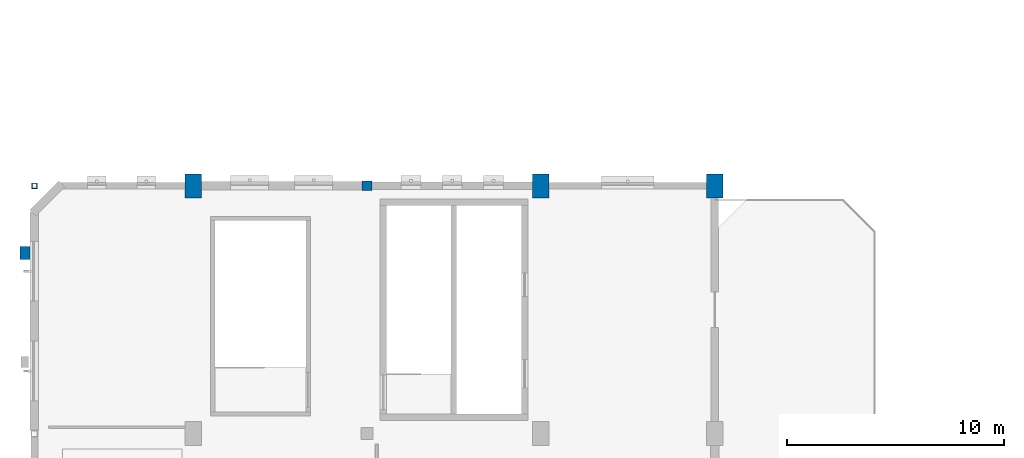
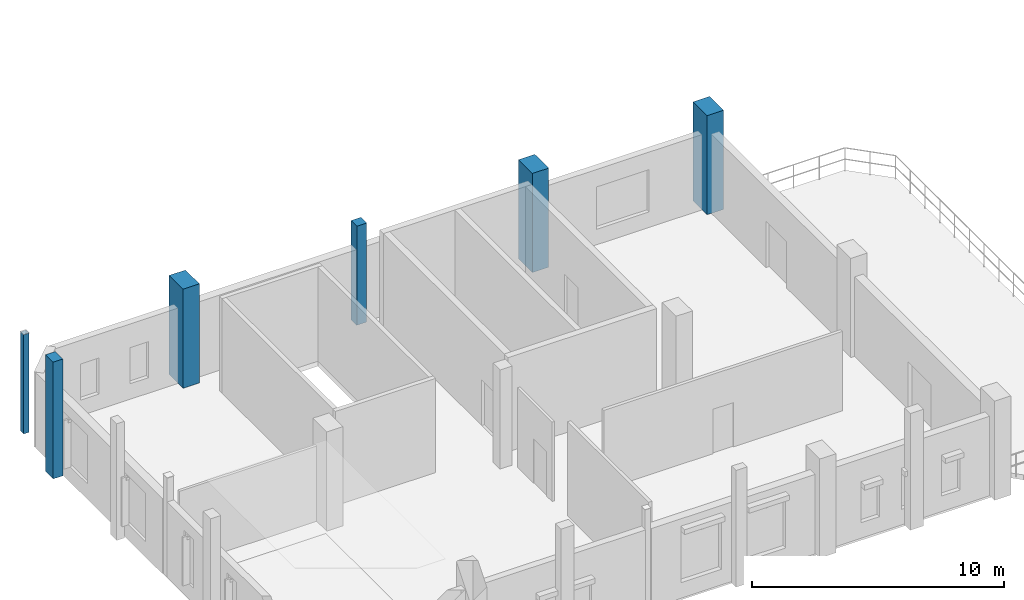
# One storey, part 2 of 28: 6 columns.
"""IFC4 building model written with IfcOpenShell, lengths in metres."""

from ifc_helpers import new_model, si_unit, direction, frame, origin, origin_2d, place, context, subcontext, project, spatial, rectangle, hollow_rectangle, extrude, material, material_profile, profile_set, type_object, element, save


model = new_model("IFC4")

# Units and contexts
model_context = context("Model", 3, precision=1e-05, world=origin(), true_north=direction((0.0, 1.0)))
body_context = subcontext(model_context, "Body", "Model", "MODEL_VIEW")
ifc_project = project(units=[si_unit("LENGTHUNIT", "METRE"), si_unit("AREAUNIT", "SQUARE_METRE"), si_unit("VOLUMEUNIT", "CUBIC_METRE"), si_unit("PLANEANGLEUNIT", "RADIAN"), si_unit("MASSUNIT", "GRAM", prefix="KILO"), si_unit("POWERUNIT", "WATT"), si_unit("THERMODYNAMICTEMPERATUREUNIT", "KELVIN")], contexts=[model_context])

# Site, building, storey
site_placement = place(None, origin())
site = spatial("IfcSite", under=ifc_project, at=site_placement, CompositionType="ELEMENT")
building_placement = place(site_placement, origin())
building = spatial("IfcBuilding", under=site, at=building_placement, Name="Kelmbourne Parkland Aquatics Centre", CompositionType="ELEMENT")
storey_placement = place(building_placement, frame((0.0, 0.0, 19.199951171875)))
storey = spatial("IfcBuildingStorey", under=building, at=storey_placement, Name="L04", CompositionType="ELEMENT", Elevation=19.199951171875)

# Columns
ifc_material_1 = material(Name="Concrete C40/50", Category="concrete")
ifc_material_profile_1 = material_profile(ifc_material_1, rectangle(XDim=0.75, YDim=1.10009765625, at=origin_2d()), Name="RC 750x1100")
ifc_profile_set_1 = profile_set([ifc_material_profile_1], Name="Concrete C40/50")
column_type_1 = type_object("IfcColumnType", Name="COL-C03", PredefinedType="COLUMN", material=ifc_profile_set_1)
for number, where, z_axis, x_axis, name in (
    (1, (8.0, 23.60009765625, 0.0), (0.0, 0.0, 1.0), (1.0, 0.0, 0.0), "Structural column B-04 (L04)"),
    (2, (24.0, 23.60009765625, 0.0), (0.0, 0.0, 1.0), (1.0, 0.0, 0.0), "Structural column D-04 (L04)"),
    (3, (32.0, 23.60009765625, 0.0), (0.0, 0.0, 1.0), (1.0, 0.0, 0.0), "Structural column E-04 (L04)"),
):
    element("IfcColumn", number, at=place(storey_placement, frame(where, z_axis=z_axis, x_axis=x_axis)), inside=storey, type_object=column_type_1, Name=name, PredefinedType="COLUMN", context=body_context, shape_type="SweptSolid", body=[
        extrude(rectangle(XDim=0.75, YDim=1.10009765625, at=origin_2d()), origin(), (0.0, 0.0, 1.0), 4.800048828125),
    ])
ifc_material_profile_2 = material_profile(ifc_material_1, rectangle(XDim=0.449951171875, YDim=0.449951171875, at=origin_2d()), Name="RC 450x450")
ifc_profile_set_2 = profile_set([ifc_material_profile_2], Name="Concrete C40/50")
column_type_2 = type_object("IfcColumnType", Name="COL-C08", PredefinedType="COLUMN", material=ifc_profile_set_2)
column_1_placement = place(storey_placement, frame((16.0, 23.60009765625, 0.0), z_axis=(0.0, 0.0, 1.0), x_axis=(1.0, 0.0, 0.0)))
element("IfcColumn", 4, at=column_1_placement, inside=storey, type_object=column_type_2, Name="Structural column C-04 (L04)", PredefinedType="COLUMN", context=body_context, shape_type="SweptSolid", body=[
    extrude(rectangle(XDim=0.449951171875, YDim=0.449951171875, at=origin_2d()), origin(), (0.0, 0.0, 1.0), 4.800048828125),
])
ifc_material_2 = material(Name="Cold-formed hollow steel AS/NZS 1163 C350L0", Category="steel")
ifc_material_profile_3 = material_profile(ifc_material_2, hollow_rectangle(XDim=0.25, YDim=0.25, WallThickness=0.012451171875, at=origin_2d()), Name="SHS 250x250x12.5")
ifc_profile_set_3 = profile_set([ifc_material_profile_3], Name="Cold-formed hollow steel AS/NZS 1163 C350L0")
column_type_3 = type_object("IfcColumnType", Name="COL-C23", PredefinedType="COLUMN", material=ifc_profile_set_3)
column_2_placement = place(storey_placement, frame((0.699951171875, 23.60009765625, 0.0), z_axis=(0.0, 0.0, 1.0), x_axis=(1.0, 0.0, 0.0)))
element("IfcColumn", 5, at=column_2_placement, inside=storey, type_object=column_type_3, Name="Structural column A-04 (L04)", PredefinedType="COLUMN", context=body_context, shape_type="SweptSolid", body=[
    extrude(hollow_rectangle(XDim=0.25, YDim=0.25, WallThickness=0.012451171875, at=origin_2d()), origin(), (0.0, 0.0, 1.0), 4.800048828125),
])
ifc_material_3 = material(Name="Clay brick masonry AS 3700 M12", Category="masonry")
ifc_material_profile_4 = material_profile(ifc_material_3, rectangle(XDim=0.449951171875, YDim=0.60009765625, at=origin_2d()), Name="PIL 450x600")
ifc_profile_set_4 = profile_set([ifc_material_profile_4], Name="Clay brick masonry AS 3700 M12")
column_type_4 = type_object("IfcColumnType", Name="PIL-PL2", PredefinedType="PILASTER", material=ifc_profile_set_4)
column_3_placement = place(storey_placement, frame((0.260009765625, 20.5, 0.0), z_axis=(0.0, 0.0, 1.0), x_axis=(1.0, 0.0, 0.0)))
element("IfcColumn", 6, at=column_3_placement, inside=storey, type_object=column_type_4, Name="Amsterdam School engaged brick buttress W-004 (L04)", PredefinedType="PILASTER", context=body_context, shape_type="SweptSolid", body=[
    extrude(rectangle(XDim=0.449951171875, YDim=0.60009765625, at=origin_2d()), origin(), (0.0, 0.0, 1.0), 5.650146484375),
])

save(model, "model.ifc")
